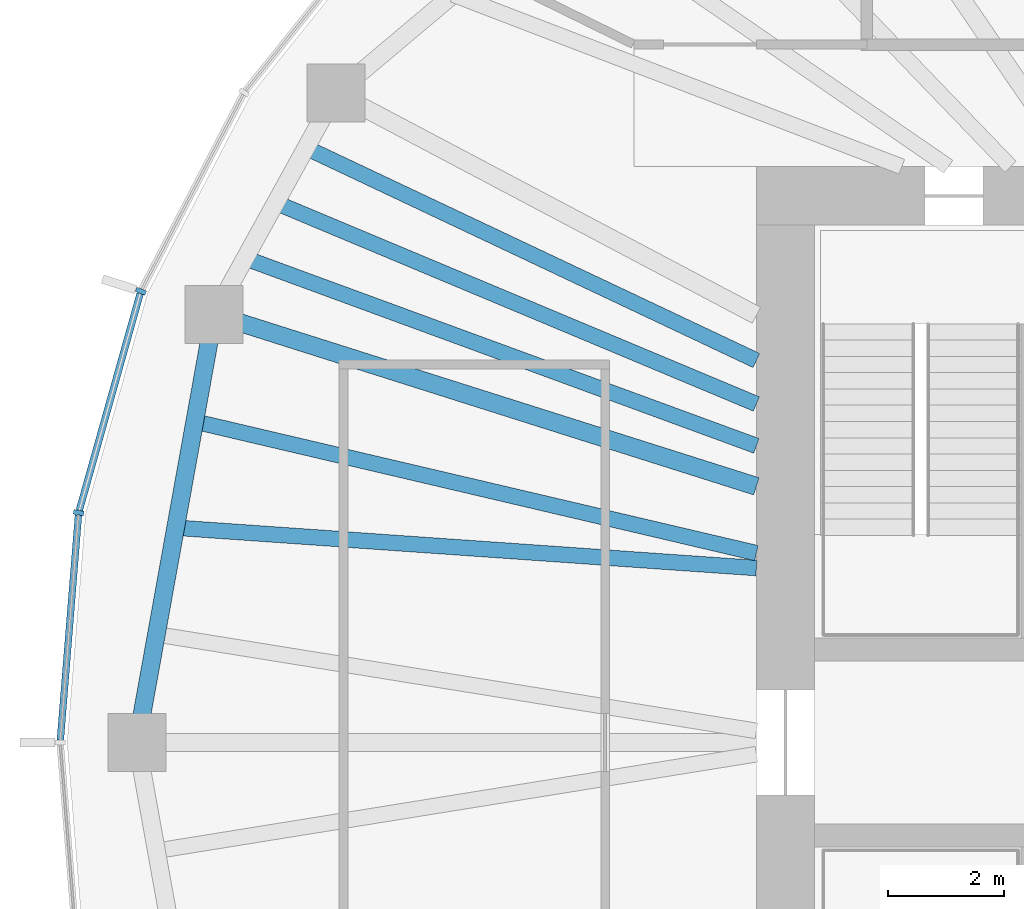
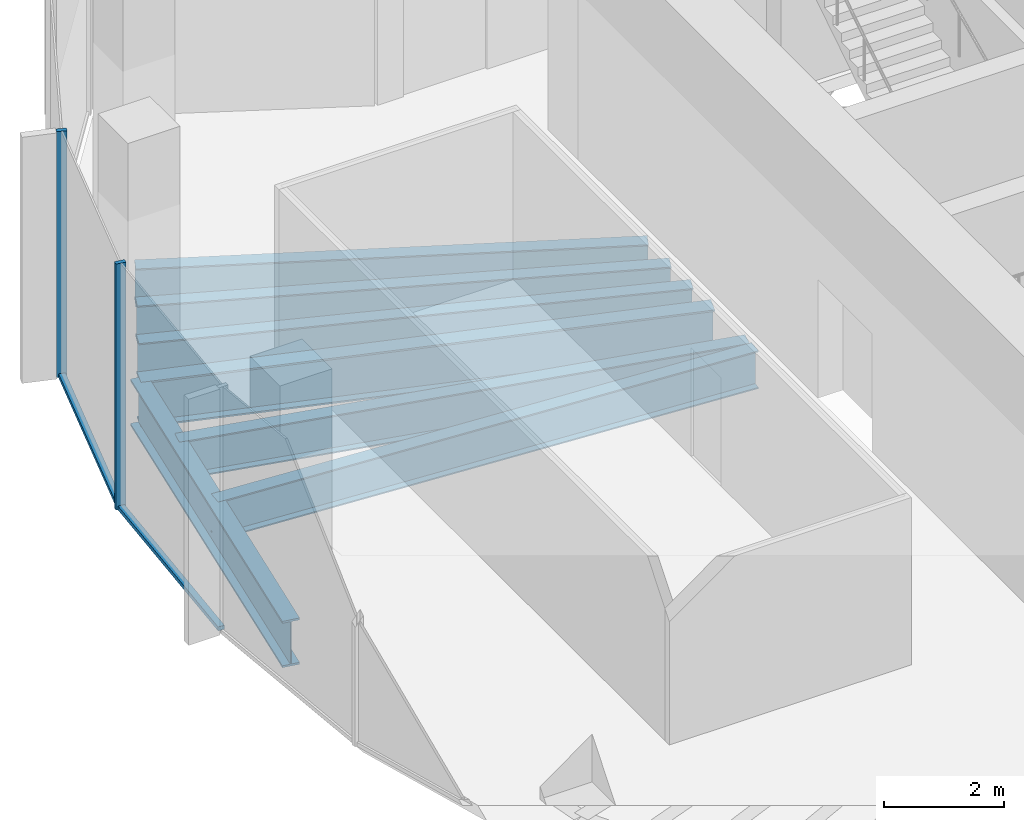
# One storey, part 3 of 11: 7 beams, 4 members, 1 element without a shape of its own.
"""IFC4 building model written with IfcOpenShell, lengths in metres."""

from ifc_helpers import new_model, si_unit, direction, frame, origin, origin_2d, place, context, subcontext, project, spatial, rectangle, i_section, extrude, material, material_profile, profile_set, type_object, element, aggregate, save


model = new_model("IFC4")

# Units and contexts
model_context = context("Model", 3, precision=1e-05, world=origin(), true_north=direction((0.0, 1.0)))
body_context = subcontext(model_context, "Body", "Model", "MODEL_VIEW")
ifc_project = project(units=[si_unit("LENGTHUNIT", "METRE"), si_unit("AREAUNIT", "SQUARE_METRE"), si_unit("VOLUMEUNIT", "CUBIC_METRE"), si_unit("PLANEANGLEUNIT", "RADIAN"), si_unit("MASSUNIT", "GRAM", prefix="KILO")], contexts=[model_context])

# Site, building, storey
site_placement = place(None, origin())
site = spatial("IfcSite", under=ifc_project, at=site_placement, CompositionType="ELEMENT")
building_placement = place(site_placement, origin())
building = spatial("IfcBuilding", under=site, at=building_placement, Name="Ghaith Harvest Tower", CompositionType="ELEMENT")
storey_placement = place(building_placement, frame((0.0, 0.0, 334.199951171875)))
storey = spatial("IfcBuildingStorey", under=building, at=storey_placement, Name="L75", CompositionType="ELEMENT", Elevation=334.199951171875)

# Curtain wall, members
ifc_material_1 = material(Name="Black anodised aluminium and fritted glass", Category="aluminium")
curtain_wall_type = type_object("IfcCurtainWallType", Name="CW-T CURTAIN WALL", PredefinedType="NOTDEFINED", material=ifc_material_1)
curtain_wall_placement = place(storey_placement, origin())
curtain_wall = element("IfcCurtainWall", 1, at=curtain_wall_placement, inside=storey, type_object=curtain_wall_type, Name="Curtain wall CW-T bay 10 L75", PredefinedType="NOTDEFINED")
ifc_material_2 = material(Name="Aluminium, black anodised", Category="aluminium")
ifc_material_profile_1 = material_profile(ifc_material_2, rectangle(XDim=0.080078125, YDim=0.179931640625, at=origin_2d()), Name="CW-T MULLION 80x180")
ifc_profile_set_1 = profile_set([ifc_material_profile_1], Name="Aluminium, black anodised")
member_type_1 = type_object("IfcMemberType", Name="CW-T MULLION 80x180", PredefinedType="MULLION", material=ifc_profile_set_1)
member_1_placement = place(storey_placement, frame((-24.482666015625, 7.759033203125, 0.0), z_axis=(0.0, 0.0, 1.0), x_axis=(-0.366473104961, -0.930428644948, 0.0)))
member_1 = element("IfcMember", 2, at=member_1_placement, type_object=member_type_1, Name="CW-T mullion 1 bay 10 L75", PredefinedType="MULLION", context=body_context, shape_type="SweptSolid", body=[
    extrude(rectangle(XDim=0.080078125, YDim=0.179931640625, at=origin_2d()), origin(), (0.0, 0.0, 1.0), 5.0),
])
member_2_placement = place(storey_placement, frame((-25.5517578125, 3.9521484375, 0.0), z_axis=(0.0, 0.0, 1.0), x_axis=(-0.176001390642, -0.984389917915, 0.0)))
member_2 = element("IfcMember", 3, at=member_2_placement, type_object=member_type_1, Name="CW-T mullion 2 bay 10 L75", PredefinedType="MULLION", context=body_context, shape_type="SweptSolid", body=[
    extrude(rectangle(XDim=0.080078125, YDim=0.179931640625, at=origin_2d()), origin(), (0.0, 0.0, 1.0), 5.0),
])
ifc_material_3 = material(Name="Aluminium, black anodised", Category="aluminium")
ifc_material_profile_2 = material_profile(ifc_material_3, rectangle(XDim=0.1201171875, YDim=0.080078125, at=origin_2d()), Name="CW-T TRANSOM 120x80")
ifc_profile_set_2 = profile_set([ifc_material_profile_2], Name="Aluminium, black anodised")
member_type_2 = type_object("IfcMemberType", Name="CW-T TRANSOM 120x80", PredefinedType="USERDEFINED", material=ifc_profile_set_2)
member_3_placement = place(storey_placement, frame((-24.49365234375, 7.720458984375, 0.0400390625), z_axis=(-0.270340422972, -0.962764797709, 0.0), x_axis=(0.962764797709, -0.270340422972, 0.0)))
member_3 = element("IfcMember", 4, at=member_3_placement, type_object=member_type_2, Name="CW-T transom 1 bay 10 L75", ObjectType="TRANSOM", PredefinedType="USERDEFINED", context=body_context, shape_type="SweptSolid", body=[
    extrude(rectangle(XDim=0.1201171875, YDim=0.080078125, at=origin_2d()), origin(), (0.0, 0.0, 1.0), 3.874267578125),
])
member_4_placement = place(storey_placement, frame((-25.554931640625, 3.912109375, 0.0400390625), z_axis=(-0.08025226314, -0.996774585481, 0.0), x_axis=(0.996774585481, -0.08025226314, 0.0)))
member_4 = element("IfcMember", 5, at=member_4_placement, type_object=member_type_2, Name="CW-T transom 2 bay 10 L75", ObjectType="TRANSOM", PredefinedType="USERDEFINED", context=body_context, shape_type="SweptSolid", body=[
    extrude(rectangle(XDim=0.1201171875, YDim=0.080078125, at=origin_2d()), origin(), (0.0, 0.0, 1.0), 3.884765625),
])
aggregate(curtain_wall, [member_1, member_3, member_2, member_4])

# Beams
ifc_material_4 = material(Name="Steel ASTM A992 Grade 50", Category="steel")
ifc_material_profile_3 = material_profile(ifc_material_4, i_section(OverallWidth=0.306884765625, OverallDepth=0.94189453125, WebThickness=0.022216796875, FlangeThickness=0.039794921875, at=origin_2d()), Name="W920X345")
ifc_profile_set_3 = profile_set([ifc_material_profile_3], Name="Steel ASTM A992 Grade 50")
beam_type_1 = type_object("IfcBeamType", Name="E920-345 W920X345", PredefinedType="SPANDREL", material=ifc_profile_set_3)
beam_1_placement = place(storey_placement, frame((-23.22412109375, 7.360107421875, -0.696044921875), z_axis=(-0.177296554745, -0.984157473007, 0.0), x_axis=(0.984157473007, -0.177296554745, 0.0)))
element("IfcBeam", 6, at=beam_1_placement, inside=storey, type_object=beam_type_1, Name="Edge beam E10 L75", PredefinedType="SPANDREL", context=body_context, shape_type="SweptSolid", body=[
    extrude(i_section(OverallWidth=0.306884765625, OverallDepth=0.94189453125, WebThickness=0.022216796875, FlangeThickness=0.039794921875, at=origin_2d()), origin(), (0.0, 0.0, 1.0), 7.478515625),
])
ifc_material_5 = material(Name="Steel ASTM A992 Grade 50", Category="steel")
ifc_material_profile_4 = material_profile(ifc_material_5, i_section(OverallWidth=0.31005859375, OverallDepth=0.927001953125, WebThickness=0.019287109375, FlangeThickness=0.031982421875, at=origin_2d()), Name="W920X289")
ifc_profile_set_4 = profile_set([ifc_material_profile_4], Name="Steel ASTM A992 Grade 50")
beam_type_2 = type_object("IfcBeamType", Name="G920-289 W920X289", PredefinedType="BEAM", material=ifc_profile_set_4)
beam_2_placement = place(storey_placement, frame((-13.89990234375, 4.4052734375, -0.6884765625), z_axis=(-0.953278508772, 0.302092841215, 0.0), x_axis=(-0.302092841215, -0.953278508772, 0.0)))
element("IfcBeam", 7, at=beam_2_placement, inside=storey, type_object=beam_type_2, Name="Radial girder G10 L75", PredefinedType="BEAM", context=body_context, shape_type="SweptSolid", body=[
    extrude(i_section(OverallWidth=0.31005859375, OverallDepth=0.927001953125, WebThickness=0.019287109375, FlangeThickness=0.031982421875, at=origin_2d()), origin(), (0.0, 0.0, 1.0), 9.78125),
])
ifc_material_6 = material(Name="Steel ASTM A992 Grade 50", Category="steel")
ifc_material_profile_5 = material_profile(ifc_material_6, i_section(OverallWidth=0.26806640625, OverallDepth=0.77001953125, WebThickness=0.015625, FlangeThickness=0.025390625, at=origin_2d()), Name="W760X196")
ifc_profile_set_5 = profile_set([ifc_material_profile_5], Name="Steel ASTM A992 Grade 50")
beam_type_3 = type_object("IfcBeamType", Name="J760-196 W760X196", PredefinedType="JOIST", material=ifc_profile_set_5)
beam_3_placement = place(storey_placement, frame((-13.89990234375, 6.56787109375, -0.60986328125), z_axis=(-0.904165769726, 0.427181765594, 0.0), x_axis=(-0.427181765594, -0.904165769726, 0.0)))
element("IfcBeam", 8, at=beam_3_placement, inside=storey, type_object=beam_type_3, Name="Joist J09.1 L75", PredefinedType="JOIST", context=body_context, shape_type="SweptSolid", body=[
    extrude(i_section(OverallWidth=0.26806640625, OverallDepth=0.77001953125, WebThickness=0.015625, FlangeThickness=0.025390625, at=origin_2d()), origin(), (0.0, 0.0, 1.0), 8.564208984375),
])
beam_4_placement = place(storey_placement, frame((-13.89990234375, 5.82080078125, -0.60986328125), z_axis=(-0.922394258818, 0.38624970071, 0.0), x_axis=(-0.38624970071, -0.922394258818, 0.0)))
element("IfcBeam", 9, at=beam_4_placement, inside=storey, type_object=beam_type_3, Name="Joist J09.2 L75", PredefinedType="JOIST", context=body_context, shape_type="SweptSolid", body=[
    extrude(i_section(OverallWidth=0.26806640625, OverallDepth=0.77001953125, WebThickness=0.015625, FlangeThickness=0.025390625, at=origin_2d()), origin(), (0.0, 0.0, 1.0), 8.959716796875),
])
beam_5_placement = place(storey_placement, frame((-13.89990234375, 5.101318359375, -0.60986328125), z_axis=(-0.938776837502, 0.34452583266, 0.0), x_axis=(-0.34452583266, -0.938776837502, 0.0)))
element("IfcBeam", 10, at=beam_5_placement, inside=storey, type_object=beam_type_3, Name="Joist J09.3 L75", PredefinedType="JOIST", context=body_context, shape_type="SweptSolid", body=[
    extrude(i_section(OverallWidth=0.26806640625, OverallDepth=0.77001953125, WebThickness=0.015625, FlangeThickness=0.025390625, at=origin_2d()), origin(), (0.0, 0.0, 1.0), 9.36376953125),
])
beam_6_placement = place(storey_placement, frame((-13.89990234375, 3.257080078125, -0.60986328125), z_axis=(-0.973623403271, 0.228161058472, 0.0), x_axis=(-0.228161058472, -0.973623403271, 0.0)))
element("IfcBeam", 11, at=beam_6_placement, inside=storey, type_object=beam_type_3, Name="Joist J10.1 L75", PredefinedType="JOIST", context=body_context, shape_type="SweptSolid", body=[
    extrude(i_section(OverallWidth=0.26806640625, OverallDepth=0.77001953125, WebThickness=0.015625, FlangeThickness=0.025390625, at=origin_2d()), origin(), (0.0, 0.0, 1.0), 9.9169921875),
])
beam_7_placement = place(storey_placement, frame((-13.89990234375, 3.0, -0.60986328125), z_axis=(-0.997592478057, 0.069348739886, 0.0), x_axis=(-0.069348739886, -0.997592478057, 0.0)))
element("IfcBeam", 12, at=beam_7_placement, inside=storey, type_object=beam_type_3, Name="Joist J10.2 L75", PredefinedType="JOIST", context=body_context, shape_type="SweptSolid", body=[
    extrude(i_section(OverallWidth=0.26806640625, OverallDepth=0.77001953125, WebThickness=0.015625, FlangeThickness=0.025390625, at=origin_2d()), origin(), (0.0, 0.0, 1.0), 10.0087890625),
])

save(model, "model.ifc")
